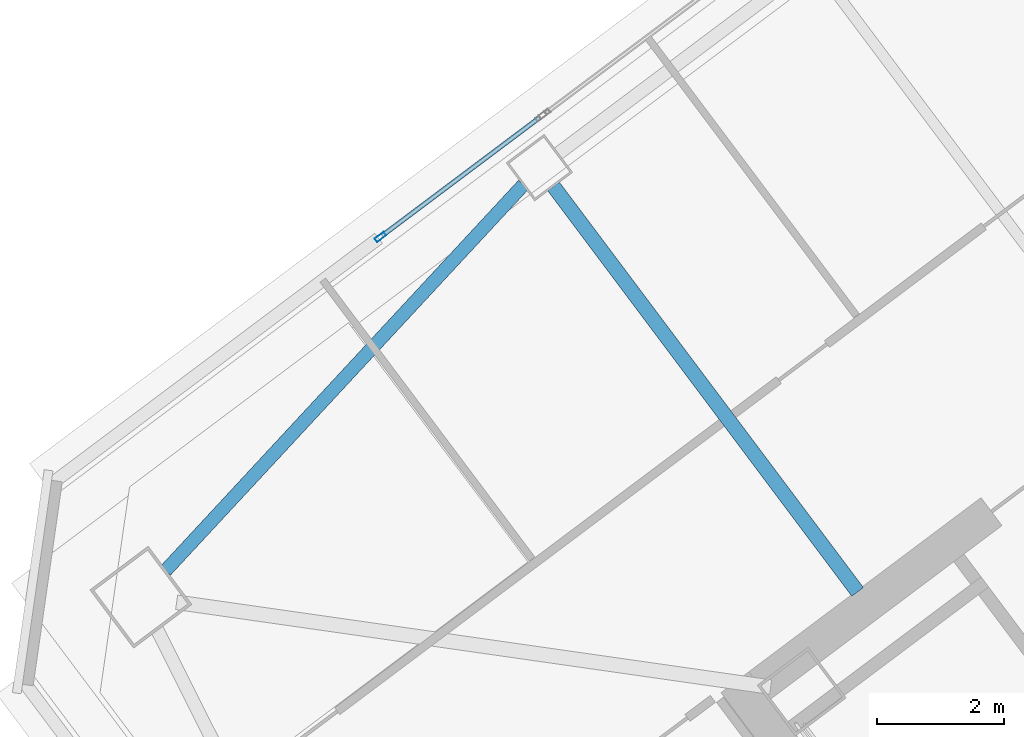
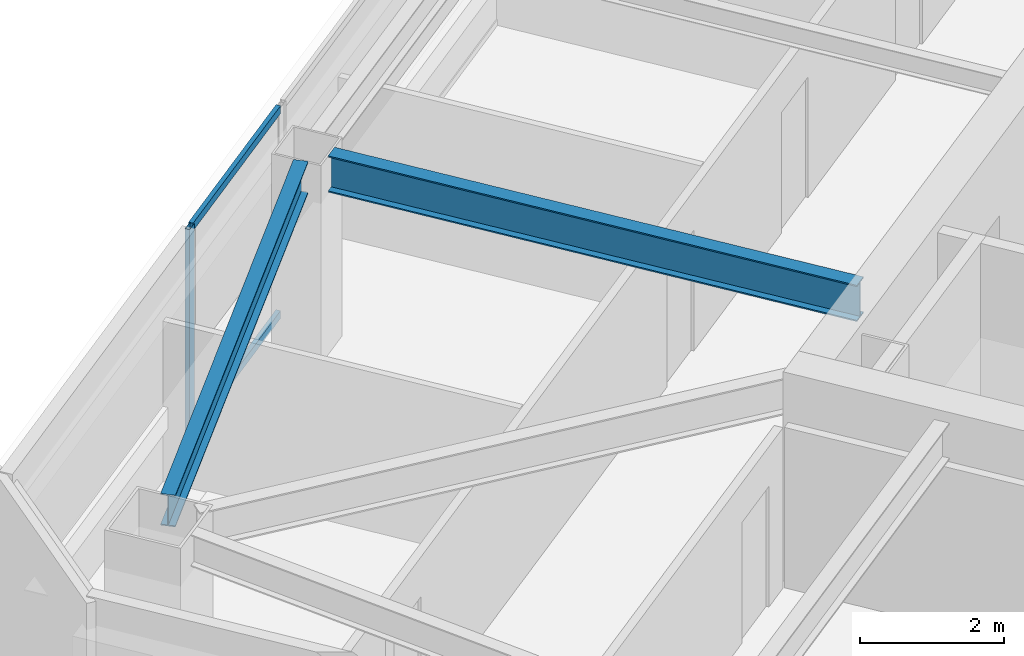
# One storey, part 22 of 42: 3 members, 2 beams, 1 element without a shape of its own.
"""IFC4 building model written with IfcOpenShell, lengths in metres."""

from ifc_helpers import new_model, si_unit, direction, frame, origin, origin_2d, place, context, subcontext, project, spatial, hollow_rectangle, i_section, extrude, material, material_profile, profile_set, type_object, element, aggregate, save


model = new_model("IFC4")

# Units and contexts
model_context = context("Model", 3, precision=1e-05, world=origin(), true_north=direction((0.0, 1.0)))
body_context = subcontext(model_context, "Body", "Model", "MODEL_VIEW")
ifc_project = project(units=[si_unit("LENGTHUNIT", "METRE"), si_unit("AREAUNIT", "SQUARE_METRE"), si_unit("VOLUMEUNIT", "CUBIC_METRE"), si_unit("PLANEANGLEUNIT", "RADIAN"), si_unit("MASSUNIT", "GRAM", prefix="KILO")], contexts=[model_context])

# Site, building, storey
site_placement = place(None, origin())
site = spatial("IfcSite", under=ifc_project, at=site_placement, CompositionType="ELEMENT")
building_placement = place(site_placement, origin())
building = spatial("IfcBuilding", under=site, at=building_placement, Name="Tashvorn Skyway Center", CompositionType="ELEMENT")
storey_placement = place(building_placement, frame((0.0, 0.0, 164.10009765625)))
storey = spatial("IfcBuildingStorey", under=building, at=storey_placement, Name="L44", CompositionType="ELEMENT", Elevation=164.10009765625)

# Beams
ifc_material_1 = material(Name="Steel ASTM A992 Grade 50", Category="steel")
ifc_material_profile_1 = material_profile(ifc_material_1, i_section(OverallWidth=0.22998046875, OverallDepth=0.616943359375, WebThickness=0.01318359375, FlangeThickness=0.022216796875, at=origin_2d()), Name="W24X94")
ifc_profile_set_1 = profile_set([ifc_material_profile_1], Name="Steel ASTM A992 Grade 50")
beam_type_1 = type_object("IfcBeamType", Name="BM-BEAM-W24X94", PredefinedType="BEAM", material=ifc_profile_set_1)
beam_1_placement = place(storey_placement, frame((100.2119140625, 41.384033203125, 3.0615234375), z_axis=(0.599995117266, -0.800003662027, 0.0), x_axis=(0.800003662027, 0.599995117266, 0.0)))
element("IfcBeam", 1, at=beam_1_placement, inside=storey, type_object=beam_type_1, Name="Tower 2 L44 Primary Floor Girder FC-N2", PredefinedType="BEAM", context=body_context, shape_type="SweptSolid", body=[
    extrude(i_section(OverallWidth=0.22998046875, OverallDepth=0.616943359375, WebThickness=0.01318359375, FlangeThickness=0.022216796875, at=origin_2d()), origin(), (0.0, 0.0, 1.0), 8.000244140625),
])
ifc_material_profile_2 = material_profile(ifc_material_1, i_section(OverallWidth=0.2109375, OverallDepth=0.5390625, WebThickness=0.01171875, FlangeThickness=0.018798828125, at=origin_2d()), Name="W21X73")
ifc_profile_set_2 = profile_set([ifc_material_profile_2], Name="Steel ASTM A992 Grade 50")
beam_type_2 = type_object("IfcBeamType", Name="BM-SPANDREL-W21X73", PredefinedType="SPANDREL", material=ifc_profile_set_2)
beam_2_placement = place(storey_placement, frame((99.73828125, 41.40869140625, 3.100341796875), z_axis=(-0.680119661736, -0.733101115618, 0.0), x_axis=(0.733101115618, -0.680119661736, 0.0)))
element("IfcBeam", 2, at=beam_2_placement, inside=storey, type_object=beam_type_2, Name="Tower 2 L44 Spandrel Beam 09", PredefinedType="SPANDREL", context=body_context, shape_type="SweptSolid", body=[
    extrude(i_section(OverallWidth=0.2109375, OverallDepth=0.5390625, WebThickness=0.01171875, FlangeThickness=0.018798828125, at=origin_2d()), origin(), (0.0, 0.0, 1.0), 8.308349609375),
])

# Curtain wall, members
ifc_material_2 = material(Name="Thermally broken bronze-anodized aluminium 6063-T6", Category="aluminium")
curtain_wall_type = type_object("IfcCurtainWallType", Name="CW-CW-Z4", PredefinedType="NOTDEFINED", material=ifc_material_2)
curtain_wall_placement = place(storey_placement, origin())
curtain_wall = element("IfcCurtainWall", 3, at=curtain_wall_placement, inside=storey, type_object=curtain_wall_type, Name="Tower 2 L44 North Unitised Curtain Wall Glazing Group 1", PredefinedType="NOTDEFINED")
ifc_material_profile_3 = material_profile(ifc_material_2, hollow_rectangle(XDim=0.070068359375, YDim=0.179931640625, WallThickness=0.00390625, at=origin_2d()), Name="ALU-MULL-70x180")
ifc_profile_set_3 = profile_set([ifc_material_profile_3], Name="Thermally broken bronze-anodized aluminium 6063-T6")
member_type_1 = type_object("IfcMemberType", Name="CWM-CW-Z4", PredefinedType="MULLION", material=ifc_profile_set_3)
member_1_placement = place(storey_placement, frame((97.47998046875, 40.5849609375, 0.0), z_axis=(0.0, 0.0, 1.0), x_axis=(-0.600000000002, 0.799999999998, 0.0)))
member_1 = element("IfcMember", 4, at=member_1_placement, type_object=member_type_1, Name="CW-Z4 mullion 1", PredefinedType="MULLION", context=body_context, shape_type="SweptSolid", body=[
    extrude(hollow_rectangle(XDim=0.070068359375, YDim=0.179931640625, WallThickness=0.00390625, at=origin_2d()), origin(), (0.0, 0.0, 1.0), 3.5498046875),
])
ifc_material_profile_4 = material_profile(ifc_material_2, hollow_rectangle(XDim=0.070068359375, YDim=0.1298828125, WallThickness=0.00390625, at=origin_2d()), Name="ALU-TRAN-70x130")
ifc_profile_set_4 = profile_set([ifc_material_profile_4], Name="Thermally broken bronze-anodized aluminium 6063-T6")
member_type_2 = type_object("IfcMemberType", Name="CWT-CW-Z4", PredefinedType="USERDEFINED", material=ifc_profile_set_4)
member_2_placement = place(storey_placement, frame((97.508056640625, 40.60595703125, 0.034912109375), z_axis=(0.799981098691, 0.600025200918, 0.0), x_axis=(-0.600025200918, 0.799981098691, 0.0)))
member_2 = element("IfcMember", 5, at=member_2_placement, type_object=member_type_2, Name="CW-Z4 transom 1.1", ObjectType="TRANSOM", PredefinedType="USERDEFINED", context=body_context, shape_type="SweptSolid", body=[
    extrude(hollow_rectangle(XDim=0.070068359375, YDim=0.1298828125, WallThickness=0.00390625, at=origin_2d()), origin(), (0.0, 0.0, 1.0), 3.10009765625),
])
member_3_placement = place(storey_placement, frame((97.508056640625, 40.60595703125, 3.514892578125), z_axis=(0.799981098691, 0.600025200918, 0.0), x_axis=(-0.600025200918, 0.799981098691, 0.0)))
member_3 = element("IfcMember", 6, at=member_3_placement, type_object=member_type_2, Name="CW-Z4 transom 1.2", ObjectType="TRANSOM", PredefinedType="USERDEFINED", context=body_context, shape_type="SweptSolid", body=[
    extrude(hollow_rectangle(XDim=0.070068359375, YDim=0.1298828125, WallThickness=0.00390625, at=origin_2d()), origin(), (0.0, 0.0, 1.0), 3.10009765625),
])
aggregate(curtain_wall, [member_1, member_2, member_3])

save(model, "model.ifc")
